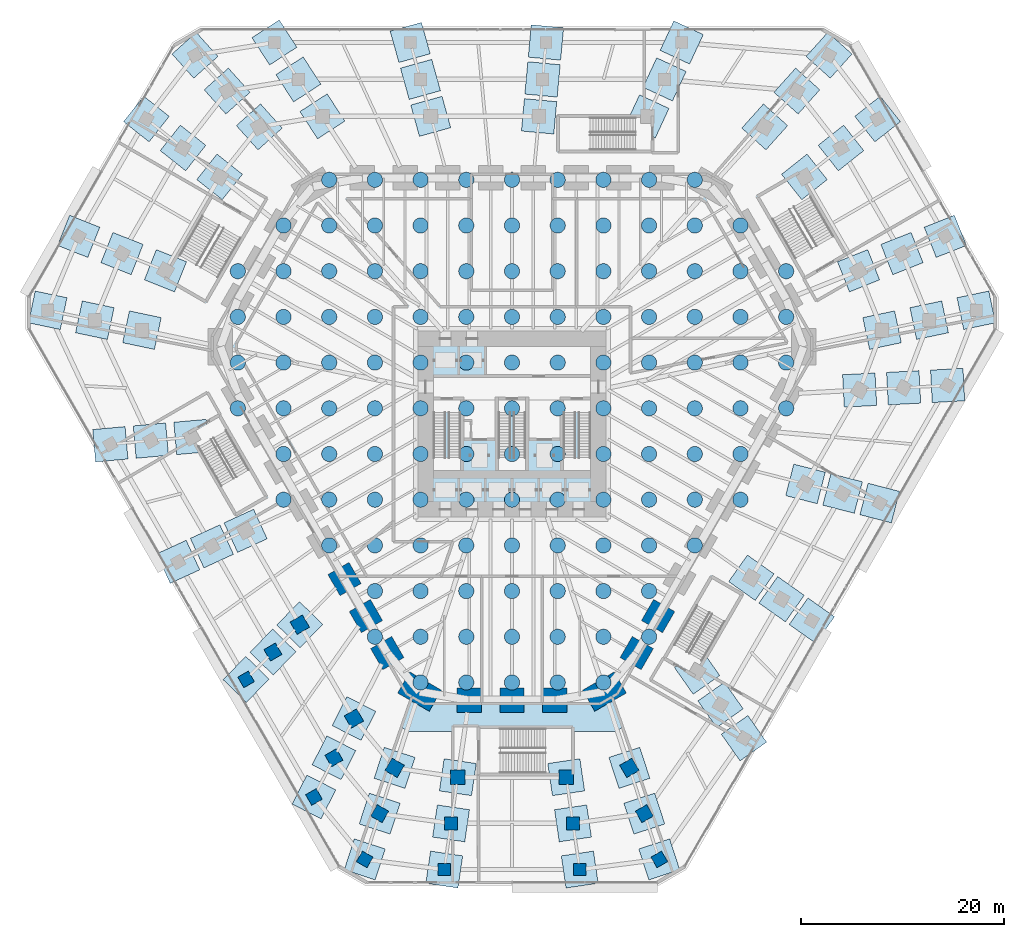
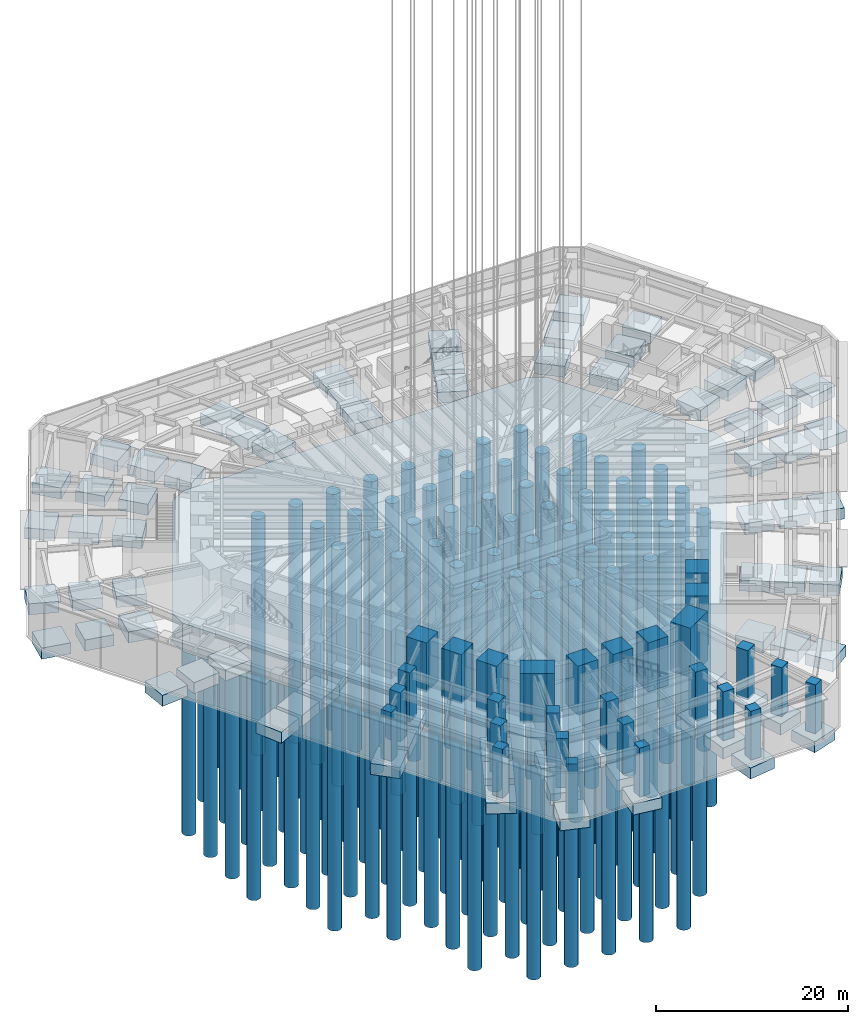
# One storey, part 1 of 34: 122 piles, 73 footings, 28 columns.
"""IFC4 building model written with IfcOpenShell, lengths in metres."""

from ifc_helpers import new_model, si_unit, direction, frame, origin, origin_2d, place, context, subcontext, project, spatial, polyline, rectangle, circle, outline, extrude, material, layer, layer_set, material_profile, profile_set, type_object, element, save


model = new_model("IFC4")

# Units and contexts
model_context = context("Model", 3, precision=1e-05, world=origin(), true_north=direction((0.0, 1.0)))
body_context = subcontext(model_context, "Body", "Model", "MODEL_VIEW")
ifc_project = project(units=[si_unit("LENGTHUNIT", "METRE"), si_unit("AREAUNIT", "SQUARE_METRE"), si_unit("VOLUMEUNIT", "CUBIC_METRE"), si_unit("PLANEANGLEUNIT", "RADIAN"), si_unit("MASSUNIT", "GRAM", prefix="KILO")], contexts=[model_context])

# Site, building, storey
site_placement = place(None, origin())
site = spatial("IfcSite", under=ifc_project, at=site_placement, CompositionType="ELEMENT")
building_placement = place(site_placement, origin())
building = spatial("IfcBuilding", under=site, at=building_placement, Name="Sandreach Pilgrim Tower", CompositionType="ELEMENT")
storey_placement = place(building_placement, origin())
storey = spatial("IfcBuildingStorey", under=building, at=storey_placement, Name="L00", CompositionType="ELEMENT", Elevation=0.0)

# Piles
ifc_material_1 = material(Name="Concrete 6000 psi", Category="concrete")
ifc_material_profile_1 = material_profile(ifc_material_1, circle(Radius=0.75, at=origin_2d()), Name="BP1500")
ifc_profile_set_1 = profile_set([ifc_material_profile_1], Name="Concrete 6000 psi")
pile_type = type_object("IfcPileType", Name="Bored pile BP1500", PredefinedType="BORED", material=ifc_profile_set_1)
for number, where, z_axis, x_axis, name in (
    (1, (-9.0, -27.0, -3.800048828125), (0.0, 0.0, -1.0), (1.0, 0.0, 0.0), "Pile P001"),
    (2, (-4.5, -27.0, -3.800048828125), (0.0, 0.0, -1.0), (1.0, 0.0, 0.0), "Pile P002"),
    (3, (0.0, -27.0, -3.800048828125), (0.0, 0.0, -1.0), (1.0, 0.0, 0.0), "Pile P003"),
    (4, (4.5, -27.0, -3.800048828125), (0.0, 0.0, -1.0), (1.0, 0.0, 0.0), "Pile P004"),
    (5, (9.0, -27.0, -3.800048828125), (0.0, 0.0, -1.0), (1.0, 0.0, 0.0), "Pile P005"),
    (6, (-13.5, -22.5, -3.800048828125), (0.0, 0.0, -1.0), (1.0, 0.0, 0.0), "Pile P006"),
    (7, (-9.0, -22.5, -3.800048828125), (0.0, 0.0, -1.0), (1.0, 0.0, 0.0), "Pile P007"),
    (8, (-4.5, -22.5, -3.800048828125), (0.0, 0.0, -1.0), (1.0, 0.0, 0.0), "Pile P008"),
    (9, (0.0, -22.5, -3.800048828125), (0.0, 0.0, -1.0), (1.0, 0.0, 0.0), "Pile P009"),
    (10, (4.5, -22.5, -3.800048828125), (0.0, 0.0, -1.0), (1.0, 0.0, 0.0), "Pile P010"),
    (11, (9.0, -22.5, -3.800048828125), (0.0, 0.0, -1.0), (1.0, 0.0, 0.0), "Pile P011"),
    (12, (13.5, -22.5, -3.800048828125), (0.0, 0.0, -1.0), (1.0, 0.0, 0.0), "Pile P012"),
    (13, (-13.5, -18.0, -3.800048828125), (0.0, 0.0, -1.0), (1.0, 0.0, 0.0), "Pile P013"),
    (14, (-9.0, -18.0, -3.800048828125), (0.0, 0.0, -1.0), (1.0, 0.0, 0.0), "Pile P014"),
    (15, (-4.5, -18.0, -3.800048828125), (0.0, 0.0, -1.0), (1.0, 0.0, 0.0), "Pile P015"),
    (16, (0.0, -18.0, -3.800048828125), (0.0, 0.0, -1.0), (1.0, 0.0, 0.0), "Pile P016"),
    (17, (4.5, -18.0, -3.800048828125), (0.0, 0.0, -1.0), (1.0, 0.0, 0.0), "Pile P017"),
    (18, (9.0, -18.0, -3.800048828125), (0.0, 0.0, -1.0), (1.0, 0.0, 0.0), "Pile P018"),
    (19, (13.5, -18.0, -3.800048828125), (0.0, 0.0, -1.0), (1.0, 0.0, 0.0), "Pile P019"),
    (20, (-18.0, -13.5, -3.800048828125), (0.0, 0.0, -1.0), (1.0, 0.0, 0.0), "Pile P020"),
    (21, (-13.5, -13.5, -3.800048828125), (0.0, 0.0, -1.0), (1.0, 0.0, 0.0), "Pile P021"),
    (22, (-9.0, -13.5, -3.800048828125), (0.0, 0.0, -1.0), (1.0, 0.0, 0.0), "Pile P022"),
    (23, (-4.5, -13.5, -3.800048828125), (0.0, 0.0, -1.0), (1.0, 0.0, 0.0), "Pile P023"),
    (24, (0.0, -13.5, -3.800048828125), (0.0, 0.0, -1.0), (1.0, 0.0, 0.0), "Pile P024"),
    (25, (4.5, -13.5, -3.800048828125), (0.0, 0.0, -1.0), (1.0, 0.0, 0.0), "Pile P025"),
    (26, (9.0, -13.5, -3.800048828125), (0.0, 0.0, -1.0), (1.0, 0.0, 0.0), "Pile P026"),
    (27, (13.5, -13.5, -3.800048828125), (0.0, 0.0, -1.0), (1.0, 0.0, 0.0), "Pile P027"),
    (28, (18.0, -13.5, -3.800048828125), (0.0, 0.0, -1.0), (1.0, 0.0, 0.0), "Pile P028"),
    (29, (-22.5, -9.0, -3.800048828125), (0.0, 0.0, -1.0), (1.0, 0.0, 0.0), "Pile P029"),
    (30, (-18.0, -9.0, -3.800048828125), (0.0, 0.0, -1.0), (1.0, 0.0, 0.0), "Pile P030"),
    (31, (-13.5, -9.0, -3.800048828125), (0.0, 0.0, -1.0), (1.0, 0.0, 0.0), "Pile P031"),
    (32, (-9.0, -9.0, -3.800048828125), (0.0, 0.0, -1.0), (1.0, 0.0, 0.0), "Pile P032"),
    (33, (-4.5, -9.0, -3.800048828125), (0.0, 0.0, -1.0), (1.0, 0.0, 0.0), "Pile P033"),
    (34, (0.0, -9.0, -3.800048828125), (0.0, 0.0, -1.0), (1.0, 0.0, 0.0), "Pile P034"),
    (35, (4.5, -9.0, -3.800048828125), (0.0, 0.0, -1.0), (1.0, 0.0, 0.0), "Pile P035"),
    (36, (9.0, -9.0, -3.800048828125), (0.0, 0.0, -1.0), (1.0, 0.0, 0.0), "Pile P036"),
    (37, (13.5, -9.0, -3.800048828125), (0.0, 0.0, -1.0), (1.0, 0.0, 0.0), "Pile P037"),
    (38, (18.0, -9.0, -3.800048828125), (0.0, 0.0, -1.0), (1.0, 0.0, 0.0), "Pile P038"),
    (39, (22.5, -9.0, -3.800048828125), (0.0, 0.0, -1.0), (1.0, 0.0, 0.0), "Pile P039"),
    (40, (-22.5, -4.5, -3.800048828125), (0.0, 0.0, -1.0), (1.0, 0.0, 0.0), "Pile P040"),
    (41, (-18.0, -4.5, -3.800048828125), (0.0, 0.0, -1.0), (1.0, 0.0, 0.0), "Pile P041"),
    (42, (-13.5, -4.5, -3.800048828125), (0.0, 0.0, -1.0), (1.0, 0.0, 0.0), "Pile P042"),
    (43, (-9.0, -4.5, -3.800048828125), (0.0, 0.0, -1.0), (1.0, 0.0, 0.0), "Pile P043"),
    (44, (-4.5, -4.5, -3.800048828125), (0.0, 0.0, -1.0), (1.0, 0.0, 0.0), "Pile P044"),
    (45, (0.0, -4.5, -3.800048828125), (0.0, 0.0, -1.0), (1.0, 0.0, 0.0), "Pile P045"),
    (46, (4.5, -4.5, -3.800048828125), (0.0, 0.0, -1.0), (1.0, 0.0, 0.0), "Pile P046"),
    (47, (9.0, -4.5, -3.800048828125), (0.0, 0.0, -1.0), (1.0, 0.0, 0.0), "Pile P047"),
    (48, (13.5, -4.5, -3.800048828125), (0.0, 0.0, -1.0), (1.0, 0.0, 0.0), "Pile P048"),
    (49, (18.0, -4.5, -3.800048828125), (0.0, 0.0, -1.0), (1.0, 0.0, 0.0), "Pile P049"),
    (50, (22.5, -4.5, -3.800048828125), (0.0, 0.0, -1.0), (1.0, 0.0, 0.0), "Pile P050"),
    (51, (-27.0, 0.0, -3.800048828125), (0.0, 0.0, -1.0), (1.0, 0.0, 0.0), "Pile P051"),
    (52, (-22.5, 0.0, -3.800048828125), (0.0, 0.0, -1.0), (1.0, 0.0, 0.0), "Pile P052"),
    (53, (-18.0, 0.0, -3.800048828125), (0.0, 0.0, -1.0), (1.0, 0.0, 0.0), "Pile P053"),
    (54, (-13.5, 0.0, -3.800048828125), (0.0, 0.0, -1.0), (1.0, 0.0, 0.0), "Pile P054"),
    (55, (-9.0, 0.0, -3.800048828125), (0.0, 0.0, -1.0), (1.0, 0.0, 0.0), "Pile P055"),
    (56, (-4.5, 0.0, -3.800048828125), (0.0, 0.0, -1.0), (1.0, 0.0, 0.0), "Pile P056"),
    (57, (0.0, 0.0, -3.800048828125), (0.0, 0.0, -1.0), (1.0, 0.0, 0.0), "Pile P057"),
    (58, (4.5, 0.0, -3.800048828125), (0.0, 0.0, -1.0), (1.0, 0.0, 0.0), "Pile P058"),
    (59, (9.0, 0.0, -3.800048828125), (0.0, 0.0, -1.0), (1.0, 0.0, 0.0), "Pile P059"),
    (60, (13.5, 0.0, -3.800048828125), (0.0, 0.0, -1.0), (1.0, 0.0, 0.0), "Pile P060"),
    (61, (18.0, 0.0, -3.800048828125), (0.0, 0.0, -1.0), (1.0, 0.0, 0.0), "Pile P061"),
    (62, (22.5, 0.0, -3.800048828125), (0.0, 0.0, -1.0), (1.0, 0.0, 0.0), "Pile P062"),
    (63, (27.0, 0.0, -3.800048828125), (0.0, 0.0, -1.0), (1.0, 0.0, 0.0), "Pile P063"),
    (64, (-27.0, 4.5, -3.800048828125), (0.0, 0.0, -1.0), (1.0, 0.0, 0.0), "Pile P064"),
    (65, (-22.5, 4.5, -3.800048828125), (0.0, 0.0, -1.0), (1.0, 0.0, 0.0), "Pile P065"),
    (66, (-18.0, 4.5, -3.800048828125), (0.0, 0.0, -1.0), (1.0, 0.0, 0.0), "Pile P066"),
    (67, (-13.5, 4.5, -3.800048828125), (0.0, 0.0, -1.0), (1.0, 0.0, 0.0), "Pile P067"),
    (68, (-9.0, 4.5, -3.800048828125), (0.0, 0.0, -1.0), (1.0, 0.0, 0.0), "Pile P068"),
    (69, (-4.5, 4.5, -3.800048828125), (0.0, 0.0, -1.0), (1.0, 0.0, 0.0), "Pile P069"),
    (70, (0.0, 4.5, -3.800048828125), (0.0, 0.0, -1.0), (1.0, 0.0, 0.0), "Pile P070"),
    (71, (4.5, 4.5, -3.800048828125), (0.0, 0.0, -1.0), (1.0, 0.0, 0.0), "Pile P071"),
    (72, (9.0, 4.5, -3.800048828125), (0.0, 0.0, -1.0), (1.0, 0.0, 0.0), "Pile P072"),
    (73, (13.5, 4.5, -3.800048828125), (0.0, 0.0, -1.0), (1.0, 0.0, 0.0), "Pile P073"),
    (74, (18.0, 4.5, -3.800048828125), (0.0, 0.0, -1.0), (1.0, 0.0, 0.0), "Pile P074"),
    (75, (22.5, 4.5, -3.800048828125), (0.0, 0.0, -1.0), (1.0, 0.0, 0.0), "Pile P075"),
    (76, (27.0, 4.5, -3.800048828125), (0.0, 0.0, -1.0), (1.0, 0.0, 0.0), "Pile P076"),
    (77, (-27.0, 9.0, -3.800048828125), (0.0, 0.0, -1.0), (1.0, 0.0, 0.0), "Pile P077"),
    (78, (-22.5, 9.0, -3.800048828125), (0.0, 0.0, -1.0), (1.0, 0.0, 0.0), "Pile P078"),
    (79, (-18.0, 9.0, -3.800048828125), (0.0, 0.0, -1.0), (1.0, 0.0, 0.0), "Pile P079"),
    (80, (-13.5, 9.0, -3.800048828125), (0.0, 0.0, -1.0), (1.0, 0.0, 0.0), "Pile P080"),
    (81, (-9.0, 9.0, -3.800048828125), (0.0, 0.0, -1.0), (1.0, 0.0, 0.0), "Pile P081"),
    (82, (-4.5, 9.0, -3.800048828125), (0.0, 0.0, -1.0), (1.0, 0.0, 0.0), "Pile P082"),
    (83, (0.0, 9.0, -3.800048828125), (0.0, 0.0, -1.0), (1.0, 0.0, 0.0), "Pile P083"),
    (84, (4.5, 9.0, -3.800048828125), (0.0, 0.0, -1.0), (1.0, 0.0, 0.0), "Pile P084"),
    (85, (9.0, 9.0, -3.800048828125), (0.0, 0.0, -1.0), (1.0, 0.0, 0.0), "Pile P085"),
    (86, (13.5, 9.0, -3.800048828125), (0.0, 0.0, -1.0), (1.0, 0.0, 0.0), "Pile P086"),
    (87, (18.0, 9.0, -3.800048828125), (0.0, 0.0, -1.0), (1.0, 0.0, 0.0), "Pile P087"),
    (88, (22.5, 9.0, -3.800048828125), (0.0, 0.0, -1.0), (1.0, 0.0, 0.0), "Pile P088"),
    (89, (27.0, 9.0, -3.800048828125), (0.0, 0.0, -1.0), (1.0, 0.0, 0.0), "Pile P089"),
    (90, (-27.0, 13.5, -3.800048828125), (0.0, 0.0, -1.0), (1.0, 0.0, 0.0), "Pile P090"),
    (91, (-22.5, 13.5, -3.800048828125), (0.0, 0.0, -1.0), (1.0, 0.0, 0.0), "Pile P091"),
    (92, (-18.0, 13.5, -3.800048828125), (0.0, 0.0, -1.0), (1.0, 0.0, 0.0), "Pile P092"),
    (93, (-13.5, 13.5, -3.800048828125), (0.0, 0.0, -1.0), (1.0, 0.0, 0.0), "Pile P093"),
    (94, (-9.0, 13.5, -3.800048828125), (0.0, 0.0, -1.0), (1.0, 0.0, 0.0), "Pile P094"),
    (95, (-4.5, 13.5, -3.800048828125), (0.0, 0.0, -1.0), (1.0, 0.0, 0.0), "Pile P095"),
    (96, (0.0, 13.5, -3.800048828125), (0.0, 0.0, -1.0), (1.0, 0.0, 0.0), "Pile P096"),
    (97, (4.5, 13.5, -3.800048828125), (0.0, 0.0, -1.0), (1.0, 0.0, 0.0), "Pile P097"),
    (98, (9.0, 13.5, -3.800048828125), (0.0, 0.0, -1.0), (1.0, 0.0, 0.0), "Pile P098"),
    (99, (13.5, 13.5, -3.800048828125), (0.0, 0.0, -1.0), (1.0, 0.0, 0.0), "Pile P099"),
    (100, (18.0, 13.5, -3.800048828125), (0.0, 0.0, -1.0), (1.0, 0.0, 0.0), "Pile P100"),
    (101, (22.5, 13.5, -3.800048828125), (0.0, 0.0, -1.0), (1.0, 0.0, 0.0), "Pile P101"),
    (102, (27.0, 13.5, -3.800048828125), (0.0, 0.0, -1.0), (1.0, 0.0, 0.0), "Pile P102"),
    (103, (-22.5, 18.0, -3.800048828125), (0.0, 0.0, -1.0), (1.0, 0.0, 0.0), "Pile P103"),
    (104, (-18.0, 18.0, -3.800048828125), (0.0, 0.0, -1.0), (1.0, 0.0, 0.0), "Pile P104"),
    (105, (-13.5, 18.0, -3.800048828125), (0.0, 0.0, -1.0), (1.0, 0.0, 0.0), "Pile P105"),
    (106, (-9.0, 18.0, -3.800048828125), (0.0, 0.0, -1.0), (1.0, 0.0, 0.0), "Pile P106"),
    (107, (-4.5, 18.0, -3.800048828125), (0.0, 0.0, -1.0), (1.0, 0.0, 0.0), "Pile P107"),
    (108, (0.0, 18.0, -3.800048828125), (0.0, 0.0, -1.0), (1.0, 0.0, 0.0), "Pile P108"),
    (109, (4.5, 18.0, -3.800048828125), (0.0, 0.0, -1.0), (1.0, 0.0, 0.0), "Pile P109"),
    (110, (9.0, 18.0, -3.800048828125), (0.0, 0.0, -1.0), (1.0, 0.0, 0.0), "Pile P110"),
    (111, (13.5, 18.0, -3.800048828125), (0.0, 0.0, -1.0), (1.0, 0.0, 0.0), "Pile P111"),
    (112, (18.0, 18.0, -3.800048828125), (0.0, 0.0, -1.0), (1.0, 0.0, 0.0), "Pile P112"),
    (113, (22.5, 18.0, -3.800048828125), (0.0, 0.0, -1.0), (1.0, 0.0, 0.0), "Pile P113"),
    (114, (-18.0, 22.5, -3.800048828125), (0.0, 0.0, -1.0), (1.0, 0.0, 0.0), "Pile P114"),
    (115, (-13.5, 22.5, -3.800048828125), (0.0, 0.0, -1.0), (1.0, 0.0, 0.0), "Pile P115"),
    (116, (-9.0, 22.5, -3.800048828125), (0.0, 0.0, -1.0), (1.0, 0.0, 0.0), "Pile P116"),
    (117, (-4.5, 22.5, -3.800048828125), (0.0, 0.0, -1.0), (1.0, 0.0, 0.0), "Pile P117"),
    (118, (0.0, 22.5, -3.800048828125), (0.0, 0.0, -1.0), (1.0, 0.0, 0.0), "Pile P118"),
    (119, (4.5, 22.5, -3.800048828125), (0.0, 0.0, -1.0), (1.0, 0.0, 0.0), "Pile P119"),
    (120, (9.0, 22.5, -3.800048828125), (0.0, 0.0, -1.0), (1.0, 0.0, 0.0), "Pile P120"),
    (121, (13.5, 22.5, -3.800048828125), (0.0, 0.0, -1.0), (1.0, 0.0, 0.0), "Pile P121"),
    (122, (18.0, 22.5, -3.800048828125), (0.0, 0.0, -1.0), (1.0, 0.0, 0.0), "Pile P122"),
):
    element("IfcPile", number, at=place(storey_placement, frame(where, z_axis=z_axis, x_axis=x_axis)), inside=storey, type_object=pile_type, Name=name, PredefinedType="BORED", context=body_context, shape_type="SweptSolid", body=[
        extrude(circle(Radius=0.75, at=origin_2d()), origin(), (0.0, 0.0, 1.0), 30.0),
    ])

# Footings
ifc_material_2 = material(Name="Concrete 6000 psi", Category="concrete")
ifc_layer_1 = layer(ifc_material_2, 1.39990234375)
ifc_layer_set_1 = layer_set([ifc_layer_1], Name="Pad footing 3200 x 3200")
footing_type_1 = type_object("IfcFootingType", Name="Pad footing 3200 x 3200", PredefinedType="PAD_FOOTING", material=ifc_layer_set_1)
for number, where, z_axis, x_axis, name in (
    (123, (-18.671630859375, 28.7509765625, -1.599853515625), (0.0, 0.0, 1.0), (-0.544651857398, 0.838662240853, 0.0), "Pad footing R125-01"),
    (124, (-8.002197265625, 28.7509765625, -1.599853515625), (0.0, 0.0, 1.0), (-0.268134908645, 0.963381373479, 0.0), "Pad footing R125-03"),
    (125, (2.66748046875, 28.7509765625, -1.599853515625), (0.0, 0.0, 1.0), (0.092378903261, 0.995723926715, 0.0), "Pad footing R125-05"),
    (126, (13.3369140625, 28.7509765625, -1.599853515625), (0.0, 0.0, 1.0), (0.420807082818, 0.907150152428, 0.0), "Pad footing R125-07"),
    (127, (24.88525390625, 27.713623046875, -1.599853515625), (0.0, 0.0, 1.0), (0.66811726205, 0.744055995306, 0.0), "Pad footing R125-09"),
    (128, (28.7939453125, 22.78466796875, -1.599853515625), (0.0, 0.0, 1.0), (0.7841847569, 0.620527410391, 0.0), "Pad footing R125-10"),
    (129, (34.129150390625, 13.5439453125, -1.599853515625), (0.0, 0.0, 1.0), (0.929484879593, 0.36886021554, 0.0), "Pad footing R125-12"),
    (130, (36.443359375, 7.6943359375, -1.599853515625), (0.0, 0.0, 1.0), (0.978430024798, 0.206578523989, 0.0), "Pad footing R125-13"),
    (131, (34.23486328125, 1.794677734375, -1.599853515625), (0.0, 0.0, 1.0), (0.998628734473, 0.052351224298, 0.0), "Pad footing R125-14"),
    (132, (28.900146484375, -7.4453125, -1.599853515625), (0.0, 0.0, 1.0), (0.968380197288, -0.249479044212, 0.0), "Pad footing R125-16"),
    (133, (23.5654296875, -16.685546875, -1.599853515625), (0.0, 0.0, 1.0), (0.816132764061, -0.577864440355, 0.0), "Pad footing R125-18"),
    (134, (18.23046875, -25.925537109375, -1.599853515625), (0.0, 0.0, 1.0), (0.575211535641, -0.818004700027, 0.0), "Pad footing R125-20"),
    (135, (11.55810546875, -35.407958984375, -1.599853515625), (0.0, 0.0, 1.0), (0.310312762748, -0.950634519295, 0.0), "Pad footing R125-22"),
    (136, (5.335205078125, -36.32861328125, -1.599853515625), (0.0, 0.0, 1.0), (0.145300122693, -0.989387625931, 0.0), "Pad footing R125-23"),
    (137, (-5.335205078125, -36.32861328125, -1.599853515625), (0.0, 0.0, 1.0), (-0.145300122693, -0.989387625931, 0.0), "Pad footing R125-25"),
    (138, (-11.55810546875, -35.407958984375, -1.599853515625), (0.0, 0.0, 1.0), (-0.310312762748, -0.950634519295, 0.0), "Pad footing R125-26"),
    (139, (-15.563232421875, -30.545654296875, -1.599853515625), (0.0, 0.0, 1.0), (-0.453976877075, -0.891013465152, 0.0), "Pad footing R125-27"),
    (140, (-20.89794921875, -21.305419921875, -1.599853515625), (0.0, 0.0, 1.0), (-0.700245288643, -0.713902329267, 0.0), "Pad footing R125-29"),
    (141, (-26.232666015625, -12.0654296875, -1.599853515625), (0.0, 0.0, 1.0), (-0.908511667321, -0.41785948636, 0.0), "Pad footing R125-31"),
    (142, (-31.5673828125, -2.825439453125, -1.599853515625), (0.0, 0.0, 1.0), (-0.996018618459, -0.089145452402, 0.0), "Pad footing R125-33"),
    (143, (-36.443359375, 7.6943359375, -1.599853515625), (0.0, 0.0, 1.0), (-0.978430024798, 0.206578523989, 0.0), "Pad footing R125-35"),
    (144, (-34.129150390625, 13.5439453125, -1.599853515625), (0.0, 0.0, 1.0), (-0.929484879593, 0.36886021554, 0.0), "Pad footing R125-36"),
    (145, (-28.7939453125, 22.78466796875, -1.599853515625), (0.0, 0.0, 1.0), (-0.7841847569, 0.620527410391, 0.0), "Pad footing R125-38"),
    (146, (-24.88525390625, 27.713623046875, -1.599853515625), (0.0, 0.0, 1.0), (-0.66811726205, 0.744055995306, 0.0), "Pad footing R125-39"),
    (147, (-21.033935546875, 32.38818359375, -1.599853515625), (0.0, 0.0, 1.0), (-0.544651857398, 0.838662240853, 0.0), "Pad footing R140-01"),
    (148, (-9.014404296875, 32.38818359375, -1.599853515625), (0.0, 0.0, 1.0), (-0.268134908645, 0.963381373479, 0.0), "Pad footing R140-03"),
    (149, (3.0048828125, 32.38818359375, -1.599853515625), (0.0, 0.0, 1.0), (0.092378903261, 0.995723926715, 0.0), "Pad footing R140-05"),
    (150, (15.024169921875, 32.38818359375, -1.599853515625), (0.0, 0.0, 1.0), (0.420807082818, 0.907150152428, 0.0), "Pad footing R140-07"),
    (151, (28.052490234375, 31.240966796875, -1.599853515625), (0.0, 0.0, 1.0), (0.66811726205, 0.744055995306, 0.0), "Pad footing R140-09"),
    (152, (32.3974609375, 25.63623046875, -1.599853515625), (0.0, 0.0, 1.0), (0.7841847569, 0.620527410391, 0.0), "Pad footing R140-10"),
    (153, (38.400390625, 15.239013671875, -1.599853515625), (0.0, 0.0, 1.0), (0.929484879593, 0.36886021554, 0.0), "Pad footing R140-12"),
    (154, (41.081787109375, 8.673583984375, -1.599853515625), (0.0, 0.0, 1.0), (0.978430024798, 0.206578523989, 0.0), "Pad footing R140-13"),
    (155, (38.56591796875, 2.021728515625, -1.599853515625), (0.0, 0.0, 1.0), (0.998628734473, 0.052351224298, 0.0), "Pad footing R140-14"),
    (156, (32.55615234375, -8.38720703125, -1.599853515625), (0.0, 0.0, 1.0), (0.968380197288, -0.249479044212, 0.0), "Pad footing R140-16"),
    (157, (26.546630859375, -18.79638671875, -1.599853515625), (0.0, 0.0, 1.0), (0.816132764061, -0.577864440355, 0.0), "Pad footing R140-18"),
    (158, (20.536865234375, -29.205322265625, -1.599853515625), (0.0, 0.0, 1.0), (0.575211535641, -0.818004700027, 0.0), "Pad footing R140-20"),
    (159, (13.029296875, -39.91455078125, -1.599853515625), (0.0, 0.0, 1.0), (0.310312762748, -0.950634519295, 0.0), "Pad footing R140-22"),
    (160, (6.0029296875, -40.875244140625, -1.599853515625), (0.0, 0.0, 1.0), (0.145300122693, -0.989387625931, 0.0), "Pad footing R140-23"),
    (161, (-6.0029296875, -40.875244140625, -1.599853515625), (0.0, 0.0, 1.0), (-0.145300122693, -0.989387625931, 0.0), "Pad footing R140-25"),
    (162, (-13.029296875, -39.91455078125, -1.599853515625), (0.0, 0.0, 1.0), (-0.310312762748, -0.950634519295, 0.0), "Pad footing R140-26"),
    (163, (-17.531982421875, -34.409912109375, -1.599853515625), (0.0, 0.0, 1.0), (-0.453976877075, -0.891013465152, 0.0), "Pad footing R140-27"),
    (164, (-23.541748046875, -24.0009765625, -1.599853515625), (0.0, 0.0, 1.0), (-0.700245288643, -0.713902329267, 0.0), "Pad footing R140-29"),
    (165, (-29.551513671875, -13.591796875, -1.599853515625), (0.0, 0.0, 1.0), (-0.908511667321, -0.41785948636, 0.0), "Pad footing R140-31"),
    (166, (-35.56103515625, -3.182861328125, -1.599853515625), (0.0, 0.0, 1.0), (-0.996018618459, -0.089145452402, 0.0), "Pad footing R140-33"),
    (167, (-41.081787109375, 8.673583984375, -1.599853515625), (0.0, 0.0, 1.0), (-0.978430024798, 0.206578523989, 0.0), "Pad footing R140-35"),
    (168, (-38.400390625, 15.239013671875, -1.599853515625), (0.0, 0.0, 1.0), (-0.929484879593, 0.36886021554, 0.0), "Pad footing R140-36"),
    (169, (-32.3974609375, 25.63623046875, -1.599853515625), (0.0, 0.0, 1.0), (-0.7841847569, 0.620527410391, 0.0), "Pad footing R140-38"),
    (170, (-28.052490234375, 31.240966796875, -1.599853515625), (0.0, 0.0, 1.0), (-0.66811726205, 0.744055995306, 0.0), "Pad footing R140-39"),
    (171, (-23.39599609375, 36.025390625, -1.599853515625), (0.0, 0.0, 1.0), (-0.544651857398, 0.838662240853, 0.0), "Pad footing R155-01"),
    (172, (-10.02685546875, 36.025390625, -1.599853515625), (0.0, 0.0, 1.0), (-0.268134908645, 0.963381373479, 0.0), "Pad footing R155-03"),
    (173, (3.34228515625, 36.025390625, -1.599853515625), (0.0, 0.0, 1.0), (0.092378903261, 0.995723926715, 0.0), "Pad footing R155-05"),
    (174, (16.71142578125, 36.025390625, -1.599853515625), (0.0, 0.0, 1.0), (0.420807082818, 0.907150152428, 0.0), "Pad footing R155-07"),
    (175, (31.2197265625, 34.768310546875, -1.599853515625), (0.0, 0.0, 1.0), (0.66811726205, 0.744055995306, 0.0), "Pad footing R155-09"),
    (176, (36.001220703125, 28.48779296875, -1.599853515625), (0.0, 0.0, 1.0), (0.7841847569, 0.620527410391, 0.0), "Pad footing R155-10"),
    (177, (42.671875, 16.93408203125, -1.599853515625), (0.0, 0.0, 1.0), (0.929484879593, 0.36886021554, 0.0), "Pad footing R155-12"),
    (178, (45.72021484375, 9.653076171875, -1.599853515625), (0.0, 0.0, 1.0), (0.978430024798, 0.206578523989, 0.0), "Pad footing R155-13"),
    (179, (42.89697265625, 2.248779296875, -1.599853515625), (0.0, 0.0, 1.0), (0.998628734473, 0.052351224298, 0.0), "Pad footing R155-14"),
    (180, (36.21240234375, -9.329345703125, -1.599853515625), (0.0, 0.0, 1.0), (0.968380197288, -0.249479044212, 0.0), "Pad footing R155-16"),
    (181, (29.52783203125, -20.9072265625, -1.599853515625), (0.0, 0.0, 1.0), (0.816132764061, -0.577864440355, 0.0), "Pad footing R155-18"),
    (182, (22.84326171875, -32.4853515625, -1.599853515625), (0.0, 0.0, 1.0), (0.575211535641, -0.818004700027, 0.0), "Pad footing R155-20"),
    (183, (14.500244140625, -44.42138671875, -1.599853515625), (0.0, 0.0, 1.0), (0.310312762748, -0.950634519295, 0.0), "Pad footing R155-22"),
    (184, (6.670654296875, -45.421875, -1.599853515625), (0.0, 0.0, 1.0), (0.145300122693, -0.989387625931, 0.0), "Pad footing R155-23"),
    (185, (-6.670654296875, -45.421875, -1.599853515625), (0.0, 0.0, 1.0), (-0.145300122693, -0.989387625931, 0.0), "Pad footing R155-25"),
    (186, (-14.500244140625, -44.42138671875, -1.599853515625), (0.0, 0.0, 1.0), (-0.310312762748, -0.950634519295, 0.0), "Pad footing R155-26"),
    (187, (-19.5009765625, -38.2744140625, -1.599853515625), (0.0, 0.0, 1.0), (-0.453976877075, -0.891013465152, 0.0), "Pad footing R155-27"),
    (188, (-26.185546875, -26.6962890625, -1.599853515625), (0.0, 0.0, 1.0), (-0.700245288643, -0.713902329267, 0.0), "Pad footing R155-29"),
    (189, (-32.8701171875, -15.1181640625, -1.599853515625), (0.0, 0.0, 1.0), (-0.908511667321, -0.41785948636, 0.0), "Pad footing R155-31"),
    (190, (-39.5546875, -3.540283203125, -1.599853515625), (0.0, 0.0, 1.0), (-0.996018618459, -0.089145452402, 0.0), "Pad footing R155-33"),
    (191, (-45.72021484375, 9.653076171875, -1.599853515625), (0.0, 0.0, 1.0), (-0.978430024798, 0.206578523989, 0.0), "Pad footing R155-35"),
    (192, (-42.671875, 16.93408203125, -1.599853515625), (0.0, 0.0, 1.0), (-0.929484879593, 0.36886021554, 0.0), "Pad footing R155-36"),
    (193, (-36.001220703125, 28.48779296875, -1.599853515625), (0.0, 0.0, 1.0), (-0.7841847569, 0.620527410391, 0.0), "Pad footing R155-38"),
    (194, (-31.2197265625, 34.768310546875, -1.599853515625), (0.0, 0.0, 1.0), (-0.66811726205, 0.744055995306, 0.0), "Pad footing R155-39"),
):
    element("IfcFooting", number, at=place(storey_placement, frame(where, z_axis=z_axis, x_axis=x_axis)), inside=storey, type_object=footing_type_1, Name=name, PredefinedType="PAD_FOOTING", context=body_context, shape_type="SweptSolid", body=[
        extrude(rectangle(XDim=3.199951171875, YDim=3.199951171875, at=origin_2d()), origin(), (0.0, 0.0, 1.0), 1.39990234375),
    ])
ifc_material_3 = material(Name="Concrete 6000 psi", Category="concrete")
ifc_layer_2 = layer(ifc_material_3, 3.60009765625)
ifc_layer_set_2 = layer_set([ifc_layer_2], Name="Tower piled mat")
footing_type_2 = type_object("IfcFootingType", Name="Tower piled mat", PredefinedType="PILE_CAP", material=ifc_layer_set_2)
footing_placement = place(storey_placement, frame((0.0, 0.0, -3.800048828125)))
element("IfcFooting", 195, at=footing_placement, inside=storey, type_object=footing_type_2, Name="Tower piled mat", PredefinedType="PILE_CAP", context=body_context, shape_type="SweptSolid", body=[
    extrude(outline(polyline([(-20.71142578125, 25.748779296875), (-22.443359375, 24.748779296875), (-32.65478515625, 7.062255859375), (-32.65478515625, 5.062255859375), (-11.943359375, -30.810791015625), (-10.21142578125, -31.810791015625), (10.21142578125, -31.810791015625), (11.943359375, -30.810791015625), (32.65478515625, 5.062255859375), (32.65478515625, 7.062255859375), (22.443359375, 24.748779296875), (20.71142578125, 25.748779296875), (-20.71142578125, 25.748779296875)])), origin(), (0.0, 0.0, 1.0), 3.60009765625),
])

# Columns
ifc_material_4 = material(Name="Concrete 10000 psi", Category="concrete")
ifc_material_profile_2 = material_profile(ifc_material_4, rectangle(XDim=1.199951171875, YDim=1.199951171875, at=origin_2d()), Name="RC1200X1200")
ifc_profile_set_2 = profile_set([ifc_material_profile_2], Name="Concrete 10000 psi")
column_type_1 = type_object("IfcColumnType", Name="Podium column RC1200X1200", PredefinedType="COLUMN", material=ifc_profile_set_2)
for number, where, z_axis, x_axis, name in (
    (196, (14.500244140625, -44.42138671875, -0.199951171875), (0.0, 0.0, 1.0), (0.5, -0.866025403784, 0.0), "COL L00 R155-22"),
    (197, (6.670654296875, -45.421875, -0.199951171875), (0.0, 0.0, 1.0), (0.0, -1.0, 0.0), "COL L00 R155-23"),
    (198, (-6.670654296875, -45.421875, -0.199951171875), (0.0, 0.0, 1.0), (0.0, -1.0, 0.0), "COL L00 R155-25"),
    (199, (-14.500244140625, -44.42138671875, -0.199951171875), (0.0, 0.0, 1.0), (-0.5, -0.866025403784, 0.0), "COL L00 R155-26"),
    (200, (-19.5009765625, -38.2744140625, -0.199951171875), (0.0, 0.0, 1.0), (-0.866025403784, -0.5, 0.0), "COL L00 R155-27"),
    (201, (-26.185546875, -26.6962890625, -0.199951171875), (0.0, 0.0, 1.0), (-0.866025403784, -0.5, 0.0), "COL L00 R155-29"),
):
    element("IfcColumn", number, at=place(storey_placement, frame(where, z_axis=z_axis, x_axis=x_axis)), inside=storey, type_object=column_type_1, Name=name, PredefinedType="COLUMN", context=body_context, shape_type="SweptSolid", body=[
        extrude(rectangle(XDim=1.199951171875, YDim=1.199951171875, at=origin_2d()), origin(), (0.0, 0.0, 1.0), 6.199951171875),
    ])
ifc_material_5 = material(Name="Concrete 10000 psi", Category="concrete")
ifc_material_profile_3 = material_profile(ifc_material_5, rectangle(XDim=1.300048828125, YDim=1.300048828125, at=origin_2d()), Name="RC1300X1300")
ifc_profile_set_3 = profile_set([ifc_material_profile_3], Name="Concrete 10000 psi")
column_type_2 = type_object("IfcColumnType", Name="Podium column RC1300X1300", PredefinedType="COLUMN", material=ifc_profile_set_3)
for number, where, z_axis, x_axis, name in (
    (202, (13.029296875, -39.91455078125, -0.199951171875), (0.0, 0.0, 1.0), (0.5, -0.866025403784, 0.0), "COL L00 R140-22"),
    (203, (6.0029296875, -40.875244140625, -0.199951171875), (0.0, 0.0, 1.0), (0.0, -1.0, 0.0), "COL L00 R140-23"),
    (204, (-6.0029296875, -40.875244140625, -0.199951171875), (0.0, 0.0, 1.0), (0.0, -1.0, 0.0), "COL L00 R140-25"),
    (205, (-13.029296875, -39.91455078125, -0.199951171875), (0.0, 0.0, 1.0), (-0.5, -0.866025403784, 0.0), "COL L00 R140-26"),
    (206, (-17.531982421875, -34.409912109375, -0.199951171875), (0.0, 0.0, 1.0), (-0.866025403784, -0.5, 0.0), "COL L00 R140-27"),
    (207, (-23.541748046875, -24.0009765625, -0.199951171875), (0.0, 0.0, 1.0), (-0.866025403784, -0.5, 0.0), "COL L00 R140-29"),
):
    element("IfcColumn", number, at=place(storey_placement, frame(where, z_axis=z_axis, x_axis=x_axis)), inside=storey, type_object=column_type_2, Name=name, PredefinedType="COLUMN", context=body_context, shape_type="SweptSolid", body=[
        extrude(rectangle(XDim=1.300048828125, YDim=1.300048828125, at=origin_2d()), origin(), (0.0, 0.0, 1.0), 6.199951171875),
    ])
ifc_material_6 = material(Name="Concrete 10000 psi", Category="concrete")
ifc_material_profile_4 = material_profile(ifc_material_6, rectangle(XDim=1.39990234375, YDim=1.39990234375, at=origin_2d()), Name="RC1400X1400")
ifc_profile_set_4 = profile_set([ifc_material_profile_4], Name="Concrete 10000 psi")
column_type_3 = type_object("IfcColumnType", Name="Podium column RC1400X1400", PredefinedType="COLUMN", material=ifc_profile_set_4)
for number, where, z_axis, x_axis, name in (
    (208, (11.55810546875, -35.407958984375, -0.199951171875), (0.0, 0.0, 1.0), (0.5, -0.866025403784, 0.0), "COL L00 R125-22"),
    (209, (5.335205078125, -36.32861328125, -0.199951171875), (0.0, 0.0, 1.0), (0.0, -1.0, 0.0), "COL L00 R125-23"),
    (210, (-5.335205078125, -36.32861328125, -0.199951171875), (0.0, 0.0, 1.0), (0.0, -1.0, 0.0), "COL L00 R125-25"),
    (211, (-11.55810546875, -35.407958984375, -0.199951171875), (0.0, 0.0, 1.0), (-0.5, -0.866025403784, 0.0), "COL L00 R125-26"),
    (212, (-15.563232421875, -30.545654296875, -0.199951171875), (0.0, 0.0, 1.0), (-0.866025403784, -0.5, 0.0), "COL L00 R125-27"),
    (213, (-20.89794921875, -21.305419921875, -0.199951171875), (0.0, 0.0, 1.0), (-0.866025403784, -0.5, 0.0), "COL L00 R125-29"),
):
    element("IfcColumn", number, at=place(storey_placement, frame(where, z_axis=z_axis, x_axis=x_axis)), inside=storey, type_object=column_type_3, Name=name, PredefinedType="COLUMN", context=body_context, shape_type="SweptSolid", body=[
        extrude(rectangle(XDim=1.39990234375, YDim=1.39990234375, at=origin_2d()), origin(), (0.0, 0.0, 1.0), 6.199951171875),
    ])
ifc_material_7 = material(Name="Concrete 10000 psi", Category="concrete")
ifc_material_profile_5 = material_profile(ifc_material_7, rectangle(XDim=2.39990234375, YDim=2.39990234375, at=origin_2d()), Name="RC2400X2400")
ifc_profile_set_5 = profile_set([ifc_material_profile_5], Name="Concrete 10000 psi")
column_type_4 = type_object("IfcColumnType", Name="Tube column RC2400X2400", PredefinedType="COLUMN", material=ifc_profile_set_5)
for number, where, z_axis, x_axis, name in (
    (214, (14.38671875, -20.458984375, -0.199951171875), (0.0, 0.0, 1.0), (0.866025403784, -0.5, 0.0), "COL L00 T20"),
    (215, (12.28173828125, -24.10498046875, -0.199951171875), (0.0, 0.0, 1.0), (0.866025403784, -0.5, 0.0), "COL L00 T21"),
    (216, (4.222412109375, -28.7509765625, -0.199951171875), (0.0, 0.0, 1.0), (0.0, -1.0, 0.0), "COL L00 T23"),
    (217, (0.0, -28.7509765625, -0.199951171875), (0.0, 0.0, 1.0), (0.0, -1.0, 0.0), "COL L00 T24"),
    (218, (-4.222412109375, -28.7509765625, -0.199951171875), (0.0, 0.0, 1.0), (0.0, -1.0, 0.0), "COL L00 T25"),
    (219, (-12.28173828125, -24.10498046875, -0.199951171875), (0.0, 0.0, 1.0), (-0.866025403784, -0.5, 0.0), "COL L00 T27"),
    (220, (-14.38671875, -20.458984375, -0.199951171875), (0.0, 0.0, 1.0), (-0.866025403784, -0.5, 0.0), "COL L00 T28"),
    (221, (-16.491455078125, -16.813232421875, -0.199951171875), (0.0, 0.0, 1.0), (-0.866025403784, -0.5, 0.0), "COL L00 T29"),
):
    element("IfcColumn", number, at=place(storey_placement, frame(where, z_axis=z_axis, x_axis=x_axis)), inside=storey, type_object=column_type_4, Name=name, PredefinedType="COLUMN", context=body_context, shape_type="SweptSolid", body=[
        extrude(rectangle(XDim=2.39990234375, YDim=2.39990234375, at=origin_2d()), origin(), (0.0, 0.0, 1.0), 6.199951171875),
    ])
ifc_material_8 = material(Name="Concrete 10000 psi", Category="concrete")
ifc_material_profile_6 = material_profile(ifc_material_8, rectangle(XDim=2.39990234375, YDim=3.60009765625, at=origin_2d()), Name="RC2400X3600")
ifc_profile_set_6 = profile_set([ifc_material_profile_6], Name="Concrete 10000 psi")
column_type_5 = type_object("IfcColumnType", Name="Tube corner pier RC2400X3600", PredefinedType="COLUMN", material=ifc_profile_set_6)
for number, where, z_axis, x_axis, name in (
    (222, (9.1064453125, -27.89697265625, -0.199951171875), (0.0, 0.0, 1.0), (0.5, -0.866025403784, 0.0), "COL L00 T22"),
    (223, (-9.1064453125, -27.89697265625, -0.199951171875), (0.0, 0.0, 1.0), (-0.5, -0.866025403784, 0.0), "COL L00 T26"),
):
    element("IfcColumn", number, at=place(storey_placement, frame(where, z_axis=z_axis, x_axis=x_axis)), inside=storey, type_object=column_type_5, Name=name, PredefinedType="COLUMN", context=body_context, shape_type="SweptSolid", body=[
        extrude(rectangle(XDim=2.39990234375, YDim=3.60009765625, at=origin_2d()), origin(), (0.0, 0.0, 1.0), 6.199951171875),
    ])

save(model, "model.ifc")
